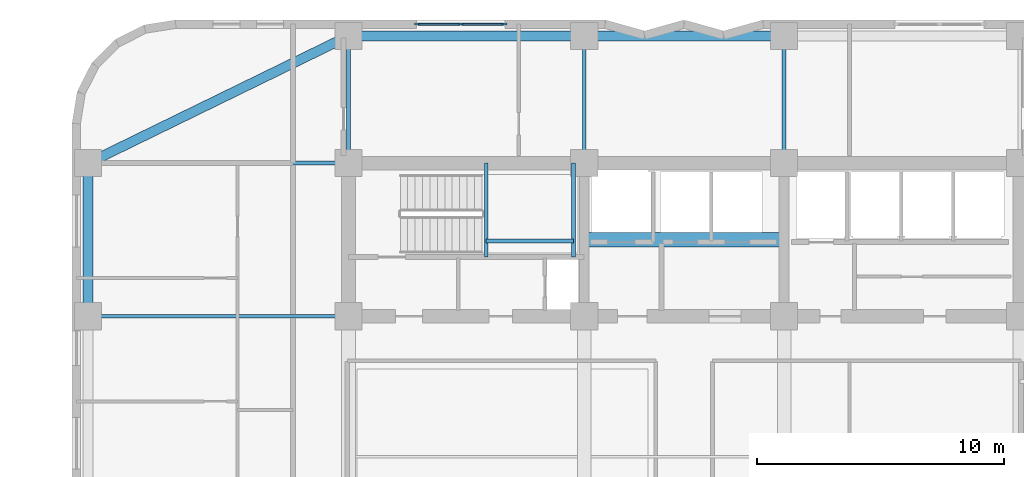
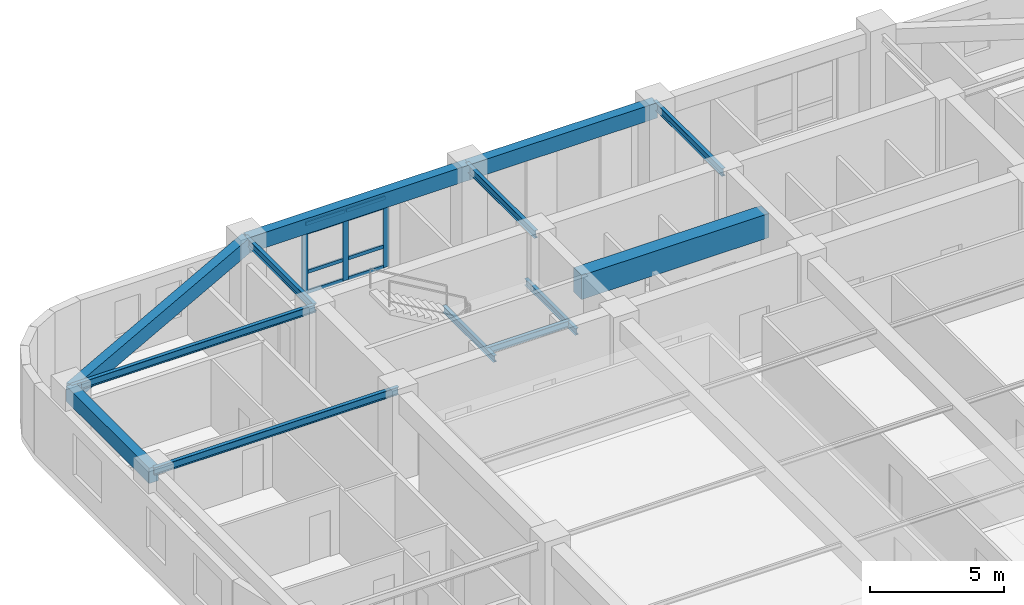
# One storey, part 4 of 15: 13 beams, 11 members, 1 element without a shape of its own.
"""IFC4 building model written with IfcOpenShell, lengths in metres."""

import ifcopenshell
import ifcopenshell.guid

model = None  # the IFC model being written
_history = None  # IfcOwnerHistory: only IFC2X3 demands one
_inside = {}  # id of a spatial element -> (the spatial element, [elements in it])
_under = {}  # id of a project, library or spatial element -> (it, [spatial elements below it])
_declared = {}  # id of a project -> (the project, [libraries it declares])
_typed = {}  # id of a type object -> (the type object, [elements of that type])
_made_of = {}  # id of a material, layer set ... -> (it, [elements and type objects made of it])


def new_model(schema):
    """Start an empty IFC model of exactly this schema.

    Asked for "IFC4X3", IfcOpenShell would pick the latest addendum, in which some entities
    have other attributes; the version numbers below select the first issue.
    IFC2X3 requires an IfcOwnerHistory on every rooted entity: one is made here for all.
    """
    global model, _history
    if schema == "IFC4X3":
        model = ifcopenshell.file(schema_version=(4, 3, 0, 0))
    else:
        model = ifcopenshell.file(schema=schema)
    _inside.clear()
    _under.clear()
    _declared.clear()
    _typed.clear()
    _made_of.clear()
    _history = None
    if model.schema == "IFC2X3":
        org = make("IfcOrganization", Name="unknown")
        user = make(
            "IfcPersonAndOrganization",
            ThePerson=make("IfcPerson", FamilyName="unknown"),
            TheOrganization=org,
        )
        app = make(
            "IfcApplication",
            ApplicationDeveloper=org,
            Version="unknown",
            ApplicationFullName="unknown",
            ApplicationIdentifier="unknown",
        )
        _history = make(
            "IfcOwnerHistory",
            OwningUser=user,
            OwningApplication=app,
            ChangeAction="ADDED",
            CreationDate=0,
        )
    return model


def make(cls, **values):
    """One entity of the class cls with the attributes given. An attribute that is None is left unset."""
    return model.create_entity(
        cls, **{name: value for name, value in values.items() if value is not None}
    )


def rooted(cls, **values):
    """An entity with a GlobalId (a new one), such as an element, a storey or a relation."""
    return make(cls, GlobalId=ifcopenshell.guid.new(), OwnerHistory=_history, **values)


def si_unit(unit_type, name, prefix=None):
    """IfcSIUnit, for example si_unit("LENGTHUNIT", "METRE", prefix="MILLI")."""
    return make("IfcSIUnit", UnitType=unit_type, Prefix=prefix, Name=name)


def assignment(units):
    """IfcUnitAssignment: the units of a project."""
    return None if units is None else make("IfcUnitAssignment", Units=units)


def point(xyz):
    """IfcCartesianPoint."""
    return None if xyz is None else make("IfcCartesianPoint", Coordinates=xyz)


def direction(xyz):
    """IfcDirection."""
    return None if xyz is None else make("IfcDirection", DirectionRatios=xyz)


def frame(location, z_axis=None, x_axis=None):
    """IfcAxis2Placement3D, a coordinate frame: its origin and axes. An axis left out is left unset."""
    return make(
        "IfcAxis2Placement3D",
        Location=point(location),
        Axis=direction(z_axis),
        RefDirection=direction(x_axis),
    )


def frame_2d(location, x_axis=None):
    """IfcAxis2Placement2D, a coordinate frame in the plane: its origin and x axis."""
    return make(
        "IfcAxis2Placement2D", Location=point(location), RefDirection=direction(x_axis)
    )


def origin():
    """The frame at (0, 0, 0) with its axes left unset."""
    return frame((0.0, 0.0, 0.0))


def origin_2d():
    """The frame at (0, 0) in the plane with its x axis left unset."""
    return frame_2d((0.0, 0.0))


def place(relative_to, where):
    """IfcLocalPlacement: puts the frame where relative to a parent placement (None: the world)."""
    return make(
        "IfcLocalPlacement", PlacementRelTo=relative_to, RelativePlacement=where
    )


def context(
    kind, dimensions, precision=None, world=None, true_north=None, identifier=None
):
    """IfcGeometricRepresentationContext, for example the 3D "Model" context."""
    return make(
        "IfcGeometricRepresentationContext",
        ContextIdentifier=identifier,
        ContextType=kind,
        CoordinateSpaceDimension=dimensions,
        Precision=precision,
        WorldCoordinateSystem=world,
        TrueNorth=true_north,
    )


def subcontext(parent, identifier, kind, view, scale=None):
    """IfcGeometricRepresentationSubContext, for example "Body" below "Model"."""
    return make(
        "IfcGeometricRepresentationSubContext",
        ContextIdentifier=identifier,
        ContextType=kind,
        ParentContext=parent,
        TargetScale=scale,
        TargetView=view,
    )


def project(units=None, contexts=None):
    """IfcProject with its units and contexts."""
    return rooted(
        "IfcProject",
        Name="project",
        RepresentationContexts=contexts,
        UnitsInContext=assignment(units),
    )


def spatial(cls, under=None, at=None, **own):
    """A site, building, storey or space (cls), placed at a placement, below another one or the project."""
    s = rooted(cls, ObjectPlacement=at, **own)
    if under is not None:
        _under.setdefault(under.id(), (under, []))[1].append(s)
    return s


def profile(cls, at=None, kind="AREA", **sizes):
    """A parametric profile (cls). Its sizes go by their IFC names, for example OverallWidth=200.0."""
    return make(cls, ProfileType=kind, Position=at, **sizes)


def rectangle(**sizes):
    """IfcRectangleProfileDef."""
    return profile("IfcRectangleProfileDef", **sizes)


def i_section(**sizes):
    """IfcIShapeProfileDef."""
    return profile("IfcIShapeProfileDef", **sizes)


def extrude(swept, where, along, depth):
    """IfcExtrudedAreaSolid: the profile swept, set in the frame where, extruded along a direction by depth."""
    return make(
        "IfcExtrudedAreaSolid",
        SweptArea=swept,
        Position=where,
        ExtrudedDirection=direction(along),
        Depth=depth,
    )


def shape(context_of_items, identifier, shape_type, items):
    """IfcShapeRepresentation: the items that make up one representation, for example the "Body"."""
    return make(
        "IfcShapeRepresentation",
        ContextOfItems=context_of_items,
        RepresentationIdentifier=identifier,
        RepresentationType=shape_type,
        Items=items,
    )


def material(Name=None, Category=None):
    """IfcMaterial."""
    return make("IfcMaterial", Name=Name, Category=Category)


def material_profile(
    of_material, cross_section, Name=None, Category=None, Priority=None
):
    """IfcMaterialProfile: a cross section and its material."""
    return make(
        "IfcMaterialProfile",
        Name=Name,
        Material=of_material,
        Profile=cross_section,
        Priority=Priority,
        Category=Category,
    )


def profile_set(profiles, Name=None, composite=None):
    """IfcMaterialProfileSet."""
    return make(
        "IfcMaterialProfileSet",
        Name=Name,
        MaterialProfiles=profiles,
        CompositeProfile=composite,
    )


def made_of(thing, what):
    """Note that an element or type object is made of a material, layer set ...; save() writes the relation."""
    if what is not None:
        _made_of.setdefault(what.id(), (what, []))[1].append(thing)
    return thing


def type_object(cls, material=None, **own):
    """A type object (cls), such as IfcWallType, which elements share."""
    return made_of(rooted(cls, **own), material)


def element(
    cls,
    number,
    at=None,
    inside=None,
    cuts=None,
    type_object=None,
    material=None,
    context=None,
    identifier="Body",
    shape_type=None,
    held_by="IfcProductDefinitionShape",
    body=None,
    shapes=None,
    **own,
):
    """One element of the class cls, such as IfcWall. Its Tag is "e" and its number.

    at: its placement. inside: the storey or other place that contains it. cuts: it is an
    opening in that element (IfcRelVoidsElement). A single representation is given by context,
    identifier, shape_type and body (its items); several are given by shapes. held_by: the class
    of the entity that holds the representations. save() writes the other relations.
    """
    e = rooted(cls, Tag="e%d" % number, ObjectPlacement=at, **own)
    if body is not None:
        shapes = [shape(context, identifier, shape_type, body)]
    if shapes is not None:
        e.Representation = make(held_by, Representations=shapes)
    if inside is not None:
        _inside.setdefault(inside.id(), (inside, []))[1].append(e)
    if cuts is not None:
        rooted(
            "IfcRelVoidsElement", RelatingBuildingElement=cuts, RelatedOpeningElement=e
        )
    if type_object is not None:
        _typed.setdefault(type_object.id(), (type_object, []))[1].append(e)
    return made_of(e, material)


def aggregate(whole, parts):
    """IfcRelAggregates: a whole, such as a stair, and the parts it consists of."""
    return rooted("IfcRelAggregates", RelatingObject=whole, RelatedObjects=parts)


def save(model, path):
    """Write the relations noted so far, then the file.

    IfcRelAggregates (storeys below a building ...), IfcRelContainedInSpatialStructure (elements
    in a storey), IfcRelDefinesByType, IfcRelAssociatesMaterial and IfcRelDeclares: one each for
    every whole, place, type object, material and project.
    """
    for whole, parts in _under.values():
        aggregate(whole, parts)
    for where, things in _inside.values():
        rooted(
            "IfcRelContainedInSpatialStructure",
            RelatedElements=things,
            RelatingStructure=where,
        )
    for kind, things in _typed.values():
        rooted("IfcRelDefinesByType", RelatedObjects=things, RelatingType=kind)
    for what, things in _made_of.values():
        rooted("IfcRelAssociatesMaterial", RelatedObjects=things, RelatingMaterial=what)
    for by, libraries in _declared.values():
        rooted("IfcRelDeclares", RelatingContext=by, RelatedDefinitions=libraries)
    model.write(path)


model = new_model("IFC4")

# Units and contexts
model_context = context("Model", 3, precision=1e-05, world=origin(), true_north=direction((0.0, 1.0)))
body_context = subcontext(model_context, "Body", "Model", "MODEL_VIEW")
ifc_project = project(units=[si_unit("LENGTHUNIT", "METRE"), si_unit("AREAUNIT", "SQUARE_METRE"), si_unit("VOLUMEUNIT", "CUBIC_METRE"), si_unit("PLANEANGLEUNIT", "RADIAN"), si_unit("MASSUNIT", "GRAM", prefix="KILO")], contexts=[model_context])

# Site, building, storey
site_placement = place(None, origin())
site = spatial("IfcSite", under=ifc_project, at=site_placement, CompositionType="ELEMENT")
building_placement = place(site_placement, origin())
building = spatial("IfcBuilding", under=site, at=building_placement, Name="Svetorya Sky Lyceum", CompositionType="ELEMENT")
storey_placement = place(building_placement, frame((0.0, 0.0, 84.10009765625)))
storey = spatial("IfcBuildingStorey", under=building, at=storey_placement, Name="L20", CompositionType="ELEMENT", Elevation=84.10009765625)

# Beams
ifc_material_1 = material(Name="Concrete C60/75", Category="concrete")
ifc_material_profile_1 = material_profile(ifc_material_1, rectangle(XDim=0.60009765625, YDim=1.10009765625, at=origin_2d()), Name="RC COUPLING 600x1100")
ifc_profile_set_1 = profile_set([ifc_material_profile_1], Name="Concrete C60/75")
beam_type_1 = type_object("IfcBeamType", Name="BM-CPL-1100", PredefinedType="LINTEL", material=ifc_profile_set_1)
beam_1_placement = place(storey_placement, frame((35.14990234375, 42.699951171875, 3.369873046875), z_axis=(1.0, 0.0, 0.0), x_axis=(0.0, 1.0, 0.0)))
element("IfcBeam", 1, at=beam_1_placement, inside=storey, type_object=beam_type_1, Name="L20 NC Core Coupling Beam", PredefinedType="LINTEL", context=body_context, shape_type="SweptSolid", body=[
    extrude(rectangle(XDim=0.60009765625, YDim=1.10009765625, at=origin_2d()), origin(), (0.0, 0.0, 1.0), 8.10009765625),
])
ifc_material_2 = material(Name="Concrete C50/60", Category="concrete")
ifc_material_profile_2 = material_profile(ifc_material_2, rectangle(XDim=0.39990234375, YDim=0.699951171875, at=origin_2d()), Name="RC SPANDREL 400x700")
ifc_profile_set_2 = profile_set([ifc_material_profile_2], Name="Concrete C50/60")
beam_type_2 = type_object("IfcBeamType", Name="BM-SPN-700", PredefinedType="SPANDREL", material=ifc_profile_set_2)
beam_2_placement = place(storey_placement, frame((25.60009765625, 50.949951171875, 3.56982421875), z_axis=(1.0, 0.0, 0.0), x_axis=(0.0, 1.0, 0.0)))
element("IfcBeam", 2, at=beam_2_placement, inside=storey, type_object=beam_type_2, Name="L20 North Spandrel 1", PredefinedType="SPANDREL", context=body_context, shape_type="SweptSolid", body=[
    extrude(rectangle(XDim=0.39990234375, YDim=0.699951171875, at=origin_2d()), origin(), (0.0, 0.0, 1.0), 9.5498046875),
])
beam_3_placement = place(storey_placement, frame((35.14990234375, 50.949951171875, 3.56982421875), z_axis=(1.0, 0.0, 0.0), x_axis=(0.0, 1.0, 0.0)))
element("IfcBeam", 3, at=beam_3_placement, inside=storey, type_object=beam_type_2, Name="L20 North Spandrel 2", PredefinedType="SPANDREL", context=body_context, shape_type="SweptSolid", body=[
    extrude(rectangle(XDim=0.39990234375, YDim=0.699951171875, at=origin_2d()), origin(), (0.0, 0.0, 1.0), 8.10009765625),
])
beam_4_placement = place(storey_placement, frame((15.050048828125, 45.800048828125, 3.56982421875), z_axis=(0.898649693653, 0.438666989978, 0.0), x_axis=(-0.438666989978, 0.898649693653, 0.0)))
element("IfcBeam", 4, at=beam_4_placement, inside=storey, type_object=beam_type_2, Name="L20 Corner Spandrel 4", PredefinedType="SPANDREL", context=body_context, shape_type="SweptSolid", body=[
    extrude(rectangle(XDim=0.39990234375, YDim=0.699951171875, at=origin_2d()), origin(), (0.0, 0.0, 1.0), 11.739990234375),
])
beam_5_placement = place(storey_placement, frame((15.050048828125, 39.60009765625, 3.56982421875), z_axis=(0.0, 1.0, 0.0), x_axis=(-1.0, 0.0, 0.0)))
element("IfcBeam", 5, at=beam_5_placement, inside=storey, type_object=beam_type_2, Name="L20 West Spandrel 4", PredefinedType="SPANDREL", context=body_context, shape_type="SweptSolid", body=[
    extrude(rectangle(XDim=0.39990234375, YDim=0.699951171875, at=origin_2d()), origin(), (0.0, 0.0, 1.0), 6.199951171875),
])
ifc_material_3 = material(Name="Steel S355", Category="steel")
ifc_material_profile_3 = material_profile(ifc_material_3, i_section(OverallWidth=0.14990234375, OverallDepth=0.299072265625, WebThickness=0.006591796875, FlangeThickness=0.010498046875, at=origin_2d()), Name="GOST 30B2")
ifc_profile_set_3 = profile_set([ifc_material_profile_3], Name="Steel S355")
beam_type_3 = type_object("IfcBeamType", Name="BM-STL-30B2", PredefinedType="JOIST", material=ifc_profile_set_3)
for number, where, z_axis, x_axis, name in (
    (6, (31.179931640625, 42.0, 1.75048828125), (0.0, 1.0, 0.0), (-1.0, 0.0, 0.0), "L20 Stair ST-N Half-Landing Support Beam 24.1"),
    (7, (34.719970703125, 42.0, 1.75048828125), (0.0, 1.0, 0.0), (-1.0, 0.0, 0.0), "L20 Stair ST-N Half-Landing Support Beam 24.2"),
):
    element("IfcBeam", number, at=place(storey_placement, frame(where, z_axis=z_axis, x_axis=x_axis)), inside=storey, type_object=beam_type_3, Name=name, PredefinedType="JOIST", context=body_context, shape_type="SweptSolid", body=[
        extrude(i_section(OverallWidth=0.14990234375, OverallDepth=0.299072265625, WebThickness=0.006591796875, FlangeThickness=0.010498046875, at=origin_2d()), origin(), (0.0, 0.0, 1.0), 3.800048828125),
    ])
beam_6_placement = place(storey_placement, frame((31.179931640625, 42.64990234375, 1.75048828125), z_axis=(1.0, 0.0, 0.0), x_axis=(0.0, 1.0, 0.0)))
element("IfcBeam", 8, at=beam_6_placement, inside=storey, type_object=beam_type_3, Name="L20 Stair ST-N Half-Landing Cross Tie 24", PredefinedType="JOIST", context=body_context, shape_type="SweptSolid", body=[
    extrude(i_section(OverallWidth=0.14990234375, OverallDepth=0.299072265625, WebThickness=0.006591796875, FlangeThickness=0.010498046875, at=origin_2d()), origin(), (0.0, 0.0, 1.0), 3.5400390625),
])
ifc_material_profile_4 = material_profile(ifc_material_3, i_section(OverallWidth=0.155029296875, OverallDepth=0.34912109375, WebThickness=0.007080078125, FlangeThickness=0.011474609375, at=origin_2d()), Name="GOST 35B2")
ifc_profile_set_4 = profile_set([ifc_material_profile_4], Name="Steel S355")
beam_type_4 = type_object("IfcBeamType", Name="BM-STL-35B2", PredefinedType="JOIST", material=ifc_profile_set_4)
for number, where, z_axis, x_axis, name in (
    (9, (15.050048828125, 39.60009765625, 3.745361328125), (1.0, 0.0, 0.0), (0.0, 1.0, 0.0), "L20 West Wing Floor Joist W4"),
    (10, (15.050048828125, 45.800048828125, 3.745361328125), (1.0, 0.0, 0.0), (0.0, 1.0, 0.0), "L20 West Wing Floor Joist W5"),
):
    element("IfcBeam", number, at=place(storey_placement, frame(where, z_axis=z_axis, x_axis=x_axis)), inside=storey, type_object=beam_type_4, Name=name, PredefinedType="JOIST", context=body_context, shape_type="SweptSolid", body=[
        extrude(i_section(OverallWidth=0.155029296875, OverallDepth=0.34912109375, WebThickness=0.007080078125, FlangeThickness=0.011474609375, at=origin_2d()), origin(), (0.0, 0.0, 1.0), 10.550048828125),
    ])
for number, where, z_axis, x_axis, name in (
    (11, (25.60009765625, 45.800048828125, 3.745361328125), (0.0, 1.0, 0.0), (-1.0, 0.0, 0.0), "L20 North Bay Floor Girder N1"),
    (12, (35.14990234375, 45.800048828125, 3.745361328125), (0.0, 1.0, 0.0), (-1.0, 0.0, 0.0), "L20 North Bay Floor Girder N2"),
    (13, (43.25, 45.800048828125, 3.745361328125), (0.0, 1.0, 0.0), (-1.0, 0.0, 0.0), "L20 North Bay Floor Girder N3"),
):
    element("IfcBeam", number, at=place(storey_placement, frame(where, z_axis=z_axis, x_axis=x_axis)), inside=storey, type_object=beam_type_4, Name=name, PredefinedType="JOIST", context=body_context, shape_type="SweptSolid", body=[
        extrude(i_section(OverallWidth=0.155029296875, OverallDepth=0.34912109375, WebThickness=0.007080078125, FlangeThickness=0.011474609375, at=origin_2d()), origin(), (0.0, 0.0, 1.0), 5.14990234375),
    ])

# Curtain wall, members
ifc_material_4 = material(Name="Thermally broken anodized aluminium and triple low-E glass", Category="aluminium")
curtain_wall_type = type_object("IfcCurtainWallType", Name="CW4-SKY-GALL", PredefinedType="NOTDEFINED", material=ifc_material_4)
curtain_wall_placement = place(storey_placement, origin())
curtain_wall = element("IfcCurtainWall", 14, at=curtain_wall_placement, inside=storey, type_object=curtain_wall_type, Name="L20 Sky-Lobby Panorama Curtain Wall 34", PredefinedType="NOTDEFINED")
ifc_material_5 = material(Name="Thermally broken anodized aluminium EN AW-6060", Category="aluminium")
ifc_material_profile_5 = material_profile(ifc_material_5, rectangle(XDim=0.0849609375, YDim=0.239990234375, at=origin_2d()), Name="ALU MULLION 85x240")
ifc_profile_set_5 = profile_set([ifc_material_profile_5], Name="Thermally broken anodized aluminium EN AW-6060")
member_type_1 = type_object("IfcMemberType", Name="CWM-MUL-240", PredefinedType="MULLION", material=ifc_profile_set_5)
member_1_placement = place(storey_placement, frame((31.907470703125, 51.429931640625, 0.0), z_axis=(0.0, 0.0, 1.0), x_axis=(0.0, -1.0, 0.0)))
member_1 = element("IfcMember", 15, at=member_1_placement, type_object=member_type_1, Name="CW-4 mullion 1", PredefinedType="MULLION", context=body_context, shape_type="SweptSolid", body=[
    extrude(rectangle(XDim=0.0849609375, YDim=0.239990234375, at=origin_2d()), origin(), (0.0, 0.0, 1.0), 3.199951171875),
])
member_2_placement = place(storey_placement, frame((30.14990234375, 51.429931640625, 0.0), z_axis=(0.0, 0.0, 1.0), x_axis=(0.0, -1.0, 0.0)))
member_2 = element("IfcMember", 16, at=member_2_placement, type_object=member_type_1, Name="CW-4 mullion 2", PredefinedType="MULLION", context=body_context, shape_type="SweptSolid", body=[
    extrude(rectangle(XDim=0.0849609375, YDim=0.239990234375, at=origin_2d()), origin(), (0.0, 0.0, 1.0), 3.199951171875),
])
member_3_placement = place(storey_placement, frame((28.392578125, 51.429931640625, 0.0), z_axis=(0.0, 0.0, 1.0), x_axis=(0.0, -1.0, 0.0)))
member_3 = element("IfcMember", 17, at=member_3_placement, type_object=member_type_1, Name="CW-4 mullion 3", PredefinedType="MULLION", context=body_context, shape_type="SweptSolid", body=[
    extrude(rectangle(XDim=0.0849609375, YDim=0.239990234375, at=origin_2d()), origin(), (0.0, 0.0, 1.0), 3.199951171875),
])
ifc_material_profile_6 = material_profile(ifc_material_5, rectangle(XDim=0.074951171875, YDim=0.159912109375, at=origin_2d()), Name="ALU TRANSOM 75x160")
ifc_profile_set_6 = profile_set([ifc_material_profile_6], Name="Thermally broken anodized aluminium EN AW-6060")
member_type_2 = type_object("IfcMemberType", Name="CWM-TRN-160", PredefinedType="USERDEFINED", material=ifc_profile_set_6)
member_4_placement = place(storey_placement, frame((31.866455078125, 51.429931640625, 0.037353515625), z_axis=(-1.0, 0.0, 0.0), x_axis=(0.0, -1.0, 0.0)))
member_4 = element("IfcMember", 18, at=member_4_placement, type_object=member_type_2, Name="CW-4 transom 1.1", ObjectType="TRANSOM", PredefinedType="USERDEFINED", context=body_context, shape_type="SweptSolid", body=[
    extrude(rectangle(XDim=0.074951171875, YDim=0.159912109375, at=origin_2d()), origin(), (0.0, 0.0, 1.0), 1.675537109375),
])
member_5_placement = place(storey_placement, frame((31.866455078125, 51.429931640625, 0.9599609375), z_axis=(-1.0, 0.0, 0.0), x_axis=(0.0, -1.0, 0.0)))
member_5 = element("IfcMember", 19, at=member_5_placement, type_object=member_type_2, Name="CW-4 transom 1.2", ObjectType="TRANSOM", PredefinedType="USERDEFINED", context=body_context, shape_type="SweptSolid", body=[
    extrude(rectangle(XDim=0.074951171875, YDim=0.159912109375, at=origin_2d()), origin(), (0.0, 0.0, 1.0), 1.675537109375),
])
member_6_placement = place(storey_placement, frame((31.866455078125, 51.429931640625, 2.75), z_axis=(-1.0, 0.0, 0.0), x_axis=(0.0, -1.0, 0.0)))
member_6 = element("IfcMember", 20, at=member_6_placement, type_object=member_type_2, Name="CW-4 transom 1.3", ObjectType="TRANSOM", PredefinedType="USERDEFINED", context=body_context, shape_type="SweptSolid", body=[
    extrude(rectangle(XDim=0.074951171875, YDim=0.159912109375, at=origin_2d()), origin(), (0.0, 0.0, 1.0), 1.675537109375),
])
member_7_placement = place(storey_placement, frame((31.866455078125, 51.429931640625, 3.162353515625), z_axis=(-1.0, 0.0, 0.0), x_axis=(0.0, -1.0, 0.0)))
member_7 = element("IfcMember", 21, at=member_7_placement, type_object=member_type_2, Name="CW-4 transom 1.4", ObjectType="TRANSOM", PredefinedType="USERDEFINED", context=body_context, shape_type="SweptSolid", body=[
    extrude(rectangle(XDim=0.074951171875, YDim=0.159912109375, at=origin_2d()), origin(), (0.0, 0.0, 1.0), 1.675537109375),
])
member_8_placement = place(storey_placement, frame((30.10888671875, 51.429931640625, 0.037353515625), z_axis=(-1.0, 0.0, 0.0), x_axis=(0.0, -1.0, 0.0)))
member_8 = element("IfcMember", 22, at=member_8_placement, type_object=member_type_2, Name="CW-4 transom 2.1", ObjectType="TRANSOM", PredefinedType="USERDEFINED", context=body_context, shape_type="SweptSolid", body=[
    extrude(rectangle(XDim=0.074951171875, YDim=0.159912109375, at=origin_2d()), origin(), (0.0, 0.0, 1.0), 1.67529296875),
])
member_9_placement = place(storey_placement, frame((30.10888671875, 51.429931640625, 0.9599609375), z_axis=(-1.0, 0.0, 0.0), x_axis=(0.0, -1.0, 0.0)))
member_9 = element("IfcMember", 23, at=member_9_placement, type_object=member_type_2, Name="CW-4 transom 2.2", ObjectType="TRANSOM", PredefinedType="USERDEFINED", context=body_context, shape_type="SweptSolid", body=[
    extrude(rectangle(XDim=0.074951171875, YDim=0.159912109375, at=origin_2d()), origin(), (0.0, 0.0, 1.0), 1.67529296875),
])
member_10_placement = place(storey_placement, frame((30.10888671875, 51.429931640625, 2.75), z_axis=(-1.0, 0.0, 0.0), x_axis=(0.0, -1.0, 0.0)))
member_10 = element("IfcMember", 24, at=member_10_placement, type_object=member_type_2, Name="CW-4 transom 2.3", ObjectType="TRANSOM", PredefinedType="USERDEFINED", context=body_context, shape_type="SweptSolid", body=[
    extrude(rectangle(XDim=0.074951171875, YDim=0.159912109375, at=origin_2d()), origin(), (0.0, 0.0, 1.0), 1.67529296875),
])
member_11_placement = place(storey_placement, frame((30.10888671875, 51.429931640625, 3.162353515625), z_axis=(-1.0, 0.0, 0.0), x_axis=(0.0, -1.0, 0.0)))
member_11 = element("IfcMember", 25, at=member_11_placement, type_object=member_type_2, Name="CW-4 transom 2.4", ObjectType="TRANSOM", PredefinedType="USERDEFINED", context=body_context, shape_type="SweptSolid", body=[
    extrude(rectangle(XDim=0.074951171875, YDim=0.159912109375, at=origin_2d()), origin(), (0.0, 0.0, 1.0), 1.67529296875),
])
aggregate(curtain_wall, [member_1, member_2, member_3, member_4, member_5, member_6, member_7, member_8, member_9, member_10, member_11])

save(model, "model.ifc")
